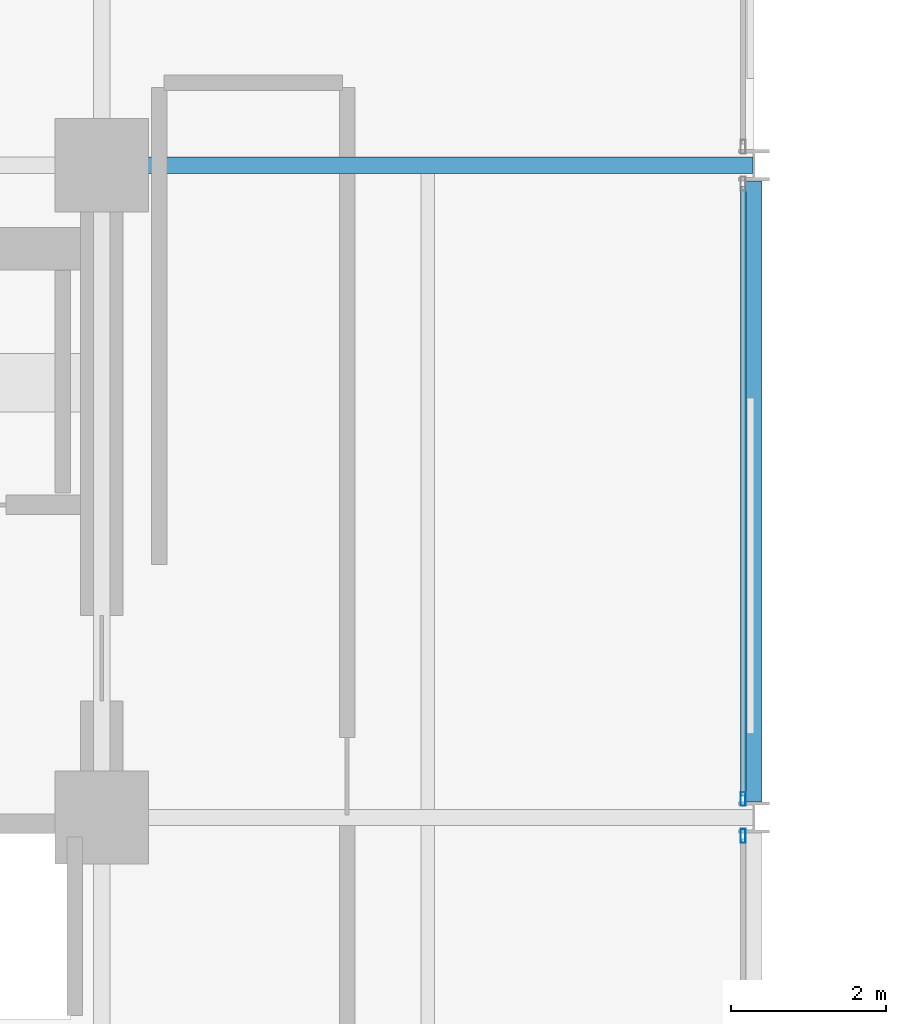
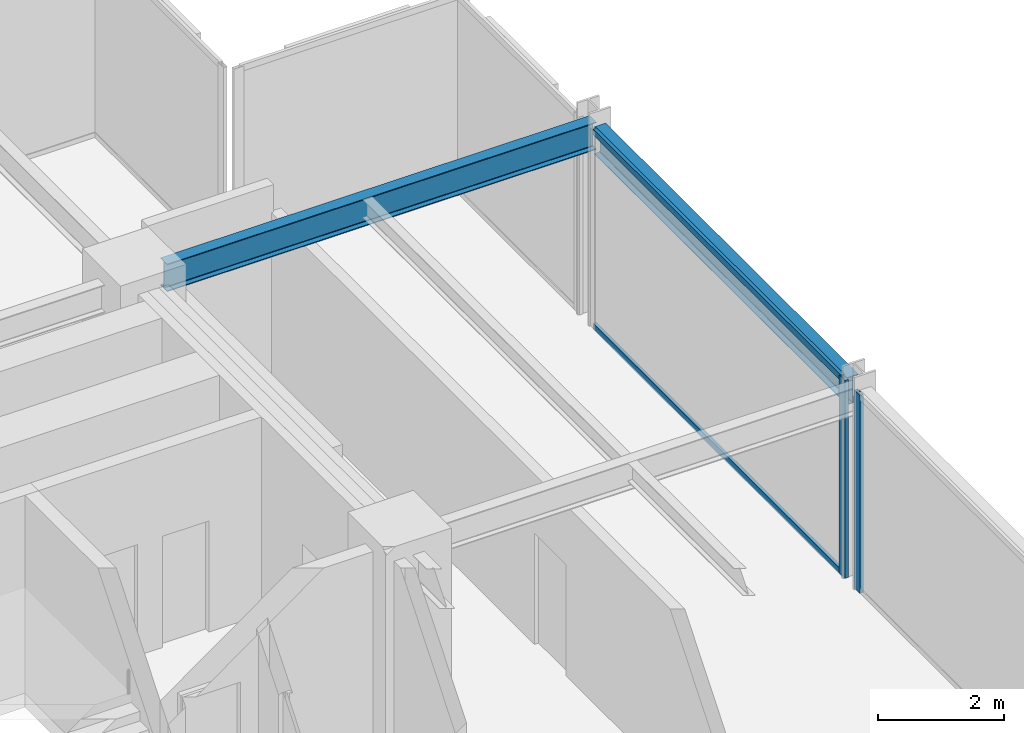
# One storey, part 27 of 38: 4 members, 2 beams, 2 elements without a shape of their own.
"""IFC4 building model written with IfcOpenShell, lengths in metres."""

from ifc_helpers import new_model, si_unit, direction, frame, origin, origin_2d, place, context, subcontext, project, spatial, hollow_rectangle, i_section, extrude, material, layer, layer_set, material_profile, profile_set, type_object, element, aggregate, save


model = new_model("IFC4")

# Units and contexts
model_context = context("Model", 3, precision=1e-05, world=origin(), true_north=direction((0.0, 1.0)))
body_context = subcontext(model_context, "Body", "Model", "MODEL_VIEW")
ifc_project = project(units=[si_unit("LENGTHUNIT", "METRE"), si_unit("AREAUNIT", "SQUARE_METRE"), si_unit("VOLUMEUNIT", "CUBIC_METRE"), si_unit("PLANEANGLEUNIT", "RADIAN"), si_unit("MASSUNIT", "GRAM", prefix="KILO")], contexts=[model_context])

# Site, building, storey
site_placement = place(None, origin())
site = spatial("IfcSite", under=ifc_project, at=site_placement, CompositionType="ELEMENT")
building_placement = place(site_placement, origin())
building = spatial("IfcBuilding", under=site, at=building_placement, Name="Nerrivon Quay Data Exchange", CompositionType="ELEMENT")
storey_placement = place(building_placement, frame((0.0, 0.0, 96.699951171875)))
storey = spatial("IfcBuildingStorey", under=building, at=storey_placement, Name="L22", CompositionType="ELEMENT", Elevation=96.699951171875)

# Beams
ifc_material_1 = material(Name="Steel Grade 350", Category="steel")
ifc_material_profile_1 = material_profile(ifc_material_1, i_section(OverallWidth=0.208984375, OverallDepth=0.532958984375, WebThickness=0.01025390625, FlangeThickness=0.015625, FilletRadius=0.013916015625, at=origin_2d()), Name="530UB92.4")
ifc_profile_set_1 = profile_set([ifc_material_profile_1], Name="Steel Grade 350")
beam_type_1 = type_object("IfcBeamType", Name="BM-G3-530UB92", PredefinedType="BEAM", material=ifc_profile_set_1)
beam_1_placement = place(storey_placement, frame((17.340087890625, 42.0, 3.55859375), z_axis=(1.0, 0.0, 0.0), x_axis=(0.0, 1.0, 0.0)))
element("IfcBeam", 1, at=beam_1_placement, inside=storey, type_object=beam_type_1, Name="L22 EW Girder Y=42.0 (16.8..25.2)", PredefinedType="BEAM", context=body_context, shape_type="SweptSolid", body=[
    extrude(i_section(OverallWidth=0.208984375, OverallDepth=0.532958984375, WebThickness=0.01025390625, FlangeThickness=0.015625, FilletRadius=0.013916015625, at=origin_2d()), origin(), (0.0, 0.0, 1.0), 7.847412109375),
])
ifc_material_profile_2 = material_profile(ifc_material_1, i_section(OverallWidth=0.208984375, OverallDepth=0.528076171875, WebThickness=0.009521484375, FlangeThickness=0.01318359375, FilletRadius=0.013916015625, at=origin_2d()), Name="530UB82.0")
ifc_profile_set_2 = profile_set([ifc_material_profile_2], Name="Steel Grade 350")
beam_type_2 = type_object("IfcBeamType", Name="BM-G4-530UB82", PredefinedType="BEAM", material=ifc_profile_set_2)
beam_2_placement = place(storey_placement, frame((25.199951171875, 33.800048828125, 3.56103515625), z_axis=(0.0, 1.0, 0.0), x_axis=(-1.0, 0.0, 0.0)))
element("IfcBeam", 2, at=beam_2_placement, inside=storey, type_object=beam_type_2, Name="L22 NS Girder X=25.2 (33.6..42.0)", PredefinedType="BEAM", context=body_context, shape_type="SweptSolid", body=[
    extrude(i_section(OverallWidth=0.208984375, OverallDepth=0.528076171875, WebThickness=0.009521484375, FlangeThickness=0.01318359375, FilletRadius=0.013916015625, at=origin_2d()), origin(), (0.0, 0.0, 1.0), 8.0),
])

# Curtain wall, member
ifc_material_2 = material(Name="Anodised aluminium 6063-T6", Category="aluminium")
ifc_layer = layer(ifc_material_2, 0.2099609375)
ifc_layer_set = layer_set([ifc_layer], Name="Anodised aluminium 6063-T6")
curtain_wall_type = type_object("IfcCurtainWallType", Name="CW-SYS-02", PredefinedType="NOTDEFINED", material=ifc_layer_set)
curtain_wall_1_placement = place(storey_placement, origin())
curtain_wall_1 = element("IfcCurtainWall", 3, at=curtain_wall_1_placement, inside=storey, type_object=curtain_wall_type, Name="L22 Unitised Curtain Wall 30", PredefinedType="NOTDEFINED")
ifc_material_profile_3 = material_profile(ifc_material_2, hollow_rectangle(XDim=0.06494140625, YDim=0.179931640625, WallThickness=0.00341796875, at=origin_2d()), Name="ALU-MULL-180x65")
ifc_profile_set_3 = profile_set([ifc_material_profile_3], Name="Anodised aluminium 6063-T6")
member_type_1 = type_object("IfcMemberType", Name="CWM-180x65", PredefinedType="MULLION", material=ifc_profile_set_3)
member_1_placement = place(storey_placement, frame((25.06005859375, 33.83740234375, 0.0), z_axis=(0.0, 0.0, 1.0), x_axis=(1.0, 0.0, 0.0)))
member_1 = element("IfcMember", 4, at=member_1_placement, type_object=member_type_1, Name="CW02 mullion 2", PredefinedType="MULLION", context=body_context, shape_type="SweptSolid", body=[
    extrude(hollow_rectangle(XDim=0.06494140625, YDim=0.179931640625, WallThickness=0.00341796875, at=origin_2d()), origin(), (0.0, 0.0, 1.0), 3.824951171875),
])

curtain_wall_2_placement = place(storey_placement, origin())
curtain_wall_2 = element("IfcCurtainWall", 5, at=curtain_wall_2_placement, inside=storey, type_object=curtain_wall_type, Name="L22 Unitised Curtain Wall 31", PredefinedType="NOTDEFINED")
member_2_placement = place(storey_placement, frame((25.06005859375, 33.362548828125, 0.0), z_axis=(0.0, 0.0, 1.0), x_axis=(1.0, 0.0, 0.0)))
member_2 = element("IfcMember", 6, at=member_2_placement, type_object=member_type_1, Name="CW02 mullion 1", PredefinedType="MULLION", context=body_context, shape_type="SweptSolid", body=[
    extrude(hollow_rectangle(XDim=0.06494140625, YDim=0.179931640625, WallThickness=0.00341796875, at=origin_2d()), origin(), (0.0, 0.0, 1.0), 3.824951171875),
])
aggregate(curtain_wall_2, [member_2])

# Member
ifc_material_profile_4 = material_profile(ifc_material_2, hollow_rectangle(XDim=0.06005859375, YDim=0.1201171875, WallThickness=0.003173828125, at=origin_2d()), Name="ALU-TRAN-120x60")
ifc_profile_set_4 = profile_set([ifc_material_profile_4], Name="Anodised aluminium 6063-T6")
member_type_2 = type_object("IfcMemberType", Name="CWT-120x60", PredefinedType="USERDEFINED", material=ifc_profile_set_4)
member_3_placement = place(storey_placement, frame((25.06005859375, 41.72509765625, 0.032470703125), z_axis=(0.0, -1.0, 0.0), x_axis=(1.0, 0.0, 0.0)))
member_3 = element("IfcMember", 7, at=member_3_placement, type_object=member_type_2, Name="CW02 transom 1.1", ObjectType="TRANSOM", PredefinedType="USERDEFINED", context=body_context, shape_type="SweptSolid", body=[
    extrude(hollow_rectangle(XDim=0.06005859375, YDim=0.1201171875, WallThickness=0.003173828125, at=origin_2d()), origin(), (0.0, 0.0, 1.0), 7.85009765625),
])

member_4_placement = place(storey_placement, frame((25.06005859375, 41.72509765625, 3.79248046875), z_axis=(0.0, -1.0, 0.0), x_axis=(1.0, 0.0, 0.0)))
member_4 = element("IfcMember", 8, at=member_4_placement, type_object=member_type_2, Name="CW02 transom 1.2", ObjectType="TRANSOM", PredefinedType="USERDEFINED", context=body_context, shape_type="SweptSolid", body=[
    extrude(hollow_rectangle(XDim=0.06005859375, YDim=0.1201171875, WallThickness=0.003173828125, at=origin_2d()), origin(), (0.0, 0.0, 1.0), 7.85009765625),
])

aggregate(curtain_wall_1, [member_1, member_3, member_4])

save(model, "model.ifc")
